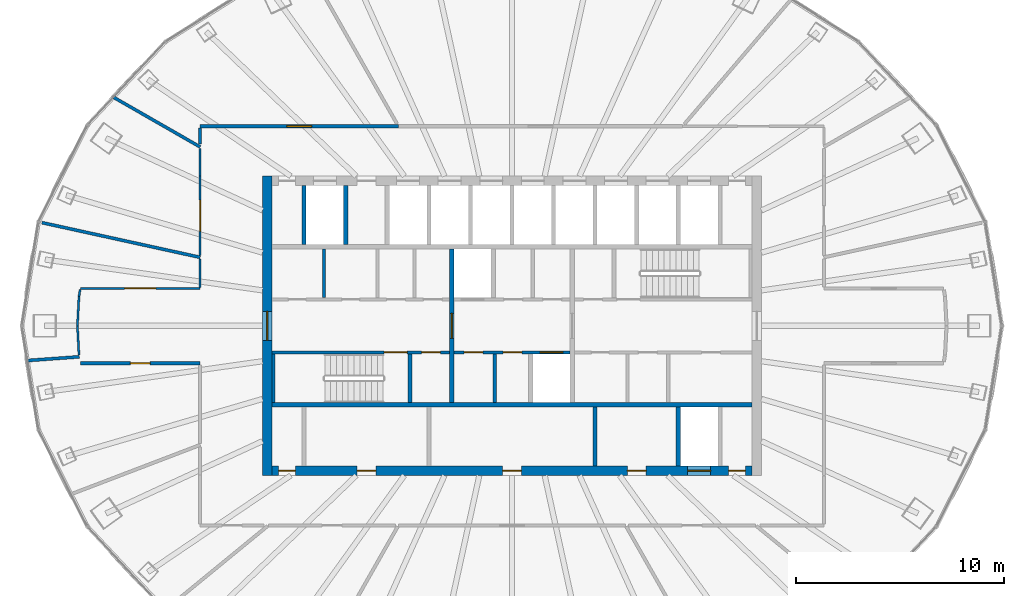
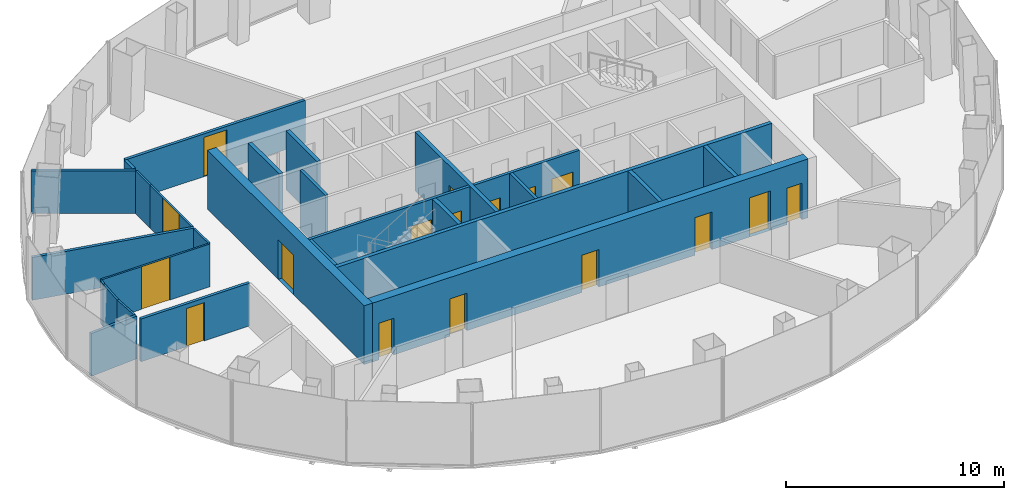
# One storey, part 9 of 13: 27 walls, 17 doors, 17 openings.
"""IFC4 building model written with IfcOpenShell, lengths in metres."""

from ifc_helpers import new_model, si_unit, direction, frame, frame_2d, origin, place, context, subcontext, project, spatial, rectangle, extrude, material, layer, layer_set, type_object, element, fill, save


model = new_model("IFC4")

# Units and contexts
model_context = context("Model", 3, precision=1e-05, world=origin(), true_north=direction((0.0, 1.0)))
body_context = subcontext(model_context, "Body", "Model", "MODEL_VIEW")
ifc_project = project(units=[si_unit("LENGTHUNIT", "METRE"), si_unit("AREAUNIT", "SQUARE_METRE"), si_unit("VOLUMEUNIT", "CUBIC_METRE"), si_unit("PLANEANGLEUNIT", "RADIAN"), si_unit("MASSUNIT", "GRAM", prefix="KILO")], contexts=[model_context])

# Site, building, storey
site_placement = place(None, origin())
site = spatial("IfcSite", under=ifc_project, at=site_placement, CompositionType="ELEMENT")
building_placement = place(site_placement, origin())
building = spatial("IfcBuilding", under=site, at=building_placement, Name="Siaravel Broadcast Tower", CompositionType="ELEMENT")
storey_placement = place(building_placement, frame((0.0, 0.0, 171.89990234375)))
storey = spatial("IfcBuildingStorey", under=building, at=storey_placement, Name="L41", CompositionType="ELEMENT", Elevation=171.89990234375)

# Walls
ifc_material_1 = material(Name="Concrete blockwork", Category="masonry")
ifc_layer_1 = layer(ifc_material_1, 0.14990234375)
ifc_layer_set_1 = layer_set([ifc_layer_1], Name="Concrete blockwork")
wall_type_1 = type_object("IfcWallType", Name="Core partition 150", PredefinedType="PARTITIONING", material=ifc_layer_set_1)
for number, where, z_axis, x_axis, name in (
    (1, (-9.044921875, 1.35009765625, 0.0), (0.0, 0.0, 1.0), (0.0, 1.0, 0.0), "L41 core partition PNW0"),
    (2, (-0.827392578125, -3.699951171875, 0.0), (0.0, 0.0, 1.0), (0.0, 1.0, 0.0), "L41 core partition PSM0"),
):
    element("IfcWall", number, at=place(storey_placement, frame(where, z_axis=z_axis, x_axis=x_axis)), inside=storey, type_object=wall_type_1, Name=name, PredefinedType="PARTITIONING", context=body_context, shape_type="SweptSolid", body=[
        extrude(rectangle(XDim=2.349853515625, YDim=0.14990234375, at=frame_2d((1.1748046875, 0.0))), origin(), (0.0, 0.0, 1.0), 3.300048828125),
    ])
ifc_layer_2 = layer(ifc_material_1, 0.199951171875)
ifc_layer_set_2 = layer_set([ifc_layer_2], Name="Concrete blockwork")
wall_type_2 = type_object("IfcWallType", Name="Core partition 200", PredefinedType="PARTITIONING", material=ifc_layer_set_2)
wall_1_placement = place(storey_placement, frame((4.0, -6.75, 0.0), z_axis=(0.0, 0.0, 1.0), x_axis=(0.0, 1.0, 0.0)))
element("IfcWall", 3, at=wall_1_placement, inside=storey, type_object=wall_type_2, Name="L41 core partition PFS3", PredefinedType="PARTITIONING", context=body_context, shape_type="SweptSolid", body=[
    extrude(rectangle(XDim=2.85009765625, YDim=0.199951171875, at=frame_2d((1.425048828125, 0.0))), origin(), (0.0, 0.0, 1.0), 3.300048828125),
])

# Wall, opening, door
ifc_material_2 = material(Name="Concrete C60/75", Category="concrete")
ifc_layer_3 = layer(ifc_material_2, 0.449951171875)
ifc_layer_set_3 = layer_set([ifc_layer_3], Name="Concrete C60/75")
wall_type_3 = type_object("IfcWallType", Name="Core wall 450", PredefinedType="SHEAR", material=ifc_layer_set_3)
wall_2_placement = place(storey_placement, frame((-11.77490234375, -7.199951171875, 0.0), z_axis=(0.0, 0.0, 1.0), x_axis=(0.0, 1.0, 0.0)))
wall_2 = element("IfcWall", 4, at=wall_2_placement, inside=storey, type_object=wall_type_3, Name="L41 core wall OW", PredefinedType="SHEAR", context=body_context, shape_type="SweptSolid", body=[
    extrude(rectangle(XDim=14.39990234375, YDim=0.449951171875, at=frame_2d((7.199951171875, 0.0))), origin(), (0.0, 0.0, 1.0), 3.300048828125),
])
opening_1_placement = place(wall_2_placement, frame((6.5, 0.0, 0.0)))
opening_1 = element("IfcOpeningElement", 5, at=opening_1_placement, cuts=wall_2, Name="Opening L41-DX-W", PredefinedType="OPENING", context=body_context, shape_type="SweptSolid", body=[
    extrude(rectangle(XDim=1.39990234375, YDim=2.199951171875, at=frame_2d((0.699951171875, 1.10009765625))), frame((0.0, 0.23486328125, 0.0), z_axis=(0.0, -1.0, 0.0), x_axis=(1.0, 0.0, 0.0)), (0.0, 0.0, 1.0), 0.469970703125),
])
ifc_material_3 = material(Name="Steel", Category="steel")
door_type_1 = type_object("IfcDoorType", Name="Core exit door 1400", OperationType="DOUBLE_DOOR_SINGLE_SWING", PredefinedType="DOOR", material=ifc_material_3)
door_1_placement = place(opening_1_placement, origin())
door_1 = element("IfcDoor", 6, at=door_1_placement, inside=storey, type_object=door_type_1, Name="L41 door DX-W", OperationType="DOUBLE_DOOR_SINGLE_SWING", OverallHeight=2.199951171875, OverallWidth=1.39990234375, PredefinedType="DOOR", context=body_context, shape_type="SweptSolid", body=[
    extrude(rectangle(XDim=1.39990234375, YDim=2.199951171875, at=frame_2d((0.699951171875, 1.10009765625))), frame((0.0, 0.02490234375, 0.0), z_axis=(0.0, -1.0, 0.0), x_axis=(1.0, 0.0, 0.0)), (0.0, 0.0, 1.0), 0.050048828125),
])
fill(opening_1, door_1)

# Wall, openings, doors
wall_3_placement = place(storey_placement, frame((-11.550048828125, -6.97509765625, 0.0), z_axis=(0.0, 0.0, 1.0), x_axis=(1.0, 0.0, 0.0)))
wall_3 = element("IfcWall", 7, at=wall_3_placement, inside=storey, type_object=wall_type_3, Name="L41 core wall OS", PredefinedType="SHEAR", context=body_context, shape_type="SweptSolid", body=[
    extrude(rectangle(XDim=23.10009765625, YDim=0.449951171875, at=frame_2d((11.550048828125, 0.0))), origin(), (0.0, 0.0, 1.0), 3.300048828125),
])
opening_2_placement = place(wall_3_placement, frame((20.0, 0.0, 0.0)))
opening_2 = element("IfcOpeningElement", 8, at=opening_2_placement, cuts=wall_3, Name="Opening LD-SV1-L41", PredefinedType="OPENING", context=body_context, shape_type="SweptSolid", body=[
    extrude(rectangle(XDim=1.10009765625, YDim=2.199951171875, at=frame_2d((0.550048828125, 1.10009765625))), frame((0.0, 0.23486328125, 0.0), z_axis=(0.0, -1.0, 0.0), x_axis=(1.0, 0.0, 0.0)), (0.0, 0.0, 1.0), 0.469970703125),
])
opening_3_placement = place(wall_3_placement, frame((4.10009765625, 0.0, 0.0)))
opening_3 = element("IfcOpeningElement", 9, at=opening_3_placement, cuts=wall_3, Name="Opening L41-DFS0", PredefinedType="OPENING", context=body_context, shape_type="SweptSolid", body=[
    extrude(rectangle(XDim=0.89990234375, YDim=2.10009765625, at=frame_2d((0.449951171875, 1.050048828125))), frame((0.0, 0.23486328125, 0.0), z_axis=(0.0, -1.0, 0.0), x_axis=(1.0, 0.0, 0.0)), (0.0, 0.0, 1.0), 0.469970703125),
])
opening_4_placement = place(wall_3_placement, frame((11.10009765625, 0.0, 0.0)))
opening_4 = element("IfcOpeningElement", 10, at=opening_4_placement, cuts=wall_3, Name="Opening L41-DFS3", PredefinedType="OPENING", context=body_context, shape_type="SweptSolid", body=[
    extrude(rectangle(XDim=0.89990234375, YDim=2.10009765625, at=frame_2d((0.449951171875, 1.050048828125))), frame((0.0, 0.23486328125, 0.0), z_axis=(0.0, -1.0, 0.0), x_axis=(1.0, 0.0, 0.0)), (0.0, 0.0, 1.0), 0.469970703125),
])
opening_5_placement = place(wall_3_placement, frame((17.10009765625, 0.0, 0.0)))
opening_5 = element("IfcOpeningElement", 11, at=opening_5_placement, cuts=wall_3, Name="Opening L41-DFS7", PredefinedType="OPENING", context=body_context, shape_type="SweptSolid", body=[
    extrude(rectangle(XDim=0.89990234375, YDim=2.10009765625, at=frame_2d((0.449951171875, 1.050048828125))), frame((0.0, 0.23486328125, 0.0), z_axis=(0.0, -1.0, 0.0), x_axis=(1.0, 0.0, 0.0)), (0.0, 0.0, 1.0), 0.469970703125),
])
opening_6_placement = place(wall_3_placement, frame((0.324951171875, 0.0, 0.0)))
opening_6 = element("IfcOpeningElement", 12, at=opening_6_placement, cuts=wall_3, Name="Opening L41-DRSW", PredefinedType="OPENING", context=body_context, shape_type="SweptSolid", body=[
    extrude(rectangle(XDim=0.800048828125, YDim=2.050048828125, at=frame_2d((0.39990234375, 1.02490234375))), frame((0.0, 0.23486328125, 0.0), z_axis=(0.0, -1.0, 0.0), x_axis=(1.0, 0.0, 0.0)), (0.0, 0.0, 1.0), 0.469970703125),
])
opening_7_placement = place(wall_3_placement, frame((21.97509765625, 0.0, 0.0)))
opening_7 = element("IfcOpeningElement", 13, at=opening_7_placement, cuts=wall_3, Name="Opening L41-DRSE", PredefinedType="OPENING", context=body_context, shape_type="SweptSolid", body=[
    extrude(rectangle(XDim=0.800048828125, YDim=2.050048828125, at=frame_2d((0.39990234375, 1.02490234375))), frame((0.0, 0.23486328125, 0.0), z_axis=(0.0, -1.0, 0.0), x_axis=(1.0, 0.0, 0.0)), (0.0, 0.0, 1.0), 0.469970703125),
])
ifc_material_4 = material(Name="Timber veneer", Category="wood")
door_type_2 = type_object("IfcDoorType", Name="Core room door 900", OperationType="SINGLE_SWING_LEFT", PredefinedType="DOOR", material=ifc_material_4)
door_2_placement = place(opening_3_placement, origin())
door_2 = element("IfcDoor", 14, at=door_2_placement, inside=storey, type_object=door_type_2, Name="L41 door DFS0", OperationType="SINGLE_SWING_LEFT", OverallHeight=2.10009765625, OverallWidth=0.89990234375, PredefinedType="DOOR", context=body_context, shape_type="SweptSolid", body=[
    extrude(rectangle(XDim=0.89990234375, YDim=2.10009765625, at=frame_2d((0.449951171875, 1.050048828125))), frame((0.0, 0.02490234375, 0.0), z_axis=(0.0, -1.0, 0.0), x_axis=(1.0, 0.0, 0.0)), (0.0, 0.0, 1.0), 0.050048828125),
])
fill(opening_3, door_2)
door_3_placement = place(opening_4_placement, origin())
door_3 = element("IfcDoor", 15, at=door_3_placement, inside=storey, type_object=door_type_2, Name="L41 door DFS3", OperationType="SINGLE_SWING_LEFT", OverallHeight=2.10009765625, OverallWidth=0.89990234375, PredefinedType="DOOR", context=body_context, shape_type="SweptSolid", body=[
    extrude(rectangle(XDim=0.89990234375, YDim=2.10009765625, at=frame_2d((0.449951171875, 1.050048828125))), frame((0.0, 0.02490234375, 0.0), z_axis=(0.0, -1.0, 0.0), x_axis=(1.0, 0.0, 0.0)), (0.0, 0.0, 1.0), 0.050048828125),
])
fill(opening_4, door_3)
door_4_placement = place(opening_5_placement, origin())
door_4 = element("IfcDoor", 16, at=door_4_placement, inside=storey, type_object=door_type_2, Name="L41 door DFS7", OperationType="SINGLE_SWING_LEFT", OverallHeight=2.10009765625, OverallWidth=0.89990234375, PredefinedType="DOOR", context=body_context, shape_type="SweptSolid", body=[
    extrude(rectangle(XDim=0.89990234375, YDim=2.10009765625, at=frame_2d((0.449951171875, 1.050048828125))), frame((0.0, 0.02490234375, 0.0), z_axis=(0.0, -1.0, 0.0), x_axis=(1.0, 0.0, 0.0)), (0.0, 0.0, 1.0), 0.050048828125),
])
fill(opening_5, door_4)
door_type_3 = type_object("IfcDoorType", Name="Riser door 800", OperationType="SINGLE_SWING_LEFT", PredefinedType="DOOR", material=ifc_material_3)
door_5_placement = place(opening_6_placement, origin())
door_5 = element("IfcDoor", 17, at=door_5_placement, inside=storey, type_object=door_type_3, Name="L41 door DRSW", OperationType="SINGLE_SWING_LEFT", OverallHeight=2.050048828125, OverallWidth=0.800048828125, PredefinedType="DOOR", context=body_context, shape_type="SweptSolid", body=[
    extrude(rectangle(XDim=0.800048828125, YDim=2.050048828125, at=frame_2d((0.39990234375, 1.02490234375))), frame((0.0, 0.02490234375, 0.0), z_axis=(0.0, -1.0, 0.0), x_axis=(1.0, 0.0, 0.0)), (0.0, 0.0, 1.0), 0.050048828125),
])
fill(opening_6, door_5)
door_6_placement = place(opening_7_placement, origin())
door_6 = element("IfcDoor", 18, at=door_6_placement, inside=storey, type_object=door_type_3, Name="L41 door DRSE", OperationType="SINGLE_SWING_LEFT", OverallHeight=2.050048828125, OverallWidth=0.800048828125, PredefinedType="DOOR", context=body_context, shape_type="SweptSolid", body=[
    extrude(rectangle(XDim=0.800048828125, YDim=2.050048828125, at=frame_2d((0.39990234375, 1.02490234375))), frame((0.0, 0.02490234375, 0.0), z_axis=(0.0, -1.0, 0.0), x_axis=(1.0, 0.0, 0.0)), (0.0, 0.0, 1.0), 0.050048828125),
])
fill(opening_7, door_6)
ifc_material_5 = material(Name="Stainless steel 316L", Category="steel")
door_type_4 = type_object("IfcDoorType", Name="Service lift landing door 1100", OperationType="DOUBLE_DOOR_SLIDING", PredefinedType="DOOR", material=ifc_material_5)
door_7_placement = place(opening_2_placement, origin())
door_7 = element("IfcDoor", 19, at=door_7_placement, inside=storey, type_object=door_type_4, Name="Landing door SV1 L41", OperationType="DOUBLE_DOOR_SLIDING", OverallHeight=2.199951171875, OverallWidth=1.10009765625, PredefinedType="DOOR", context=body_context, shape_type="SweptSolid", body=[
    extrude(rectangle(XDim=1.10009765625, YDim=2.199951171875, at=frame_2d((0.550048828125, 1.10009765625))), frame((0.0, 0.02490234375, 0.0), z_axis=(0.0, -1.0, 0.0), x_axis=(1.0, 0.0, 0.0)), (0.0, 0.0, 1.0), 0.050048828125),
])
fill(opening_2, door_7)

# Wall, opening, door
ifc_material_6 = material(Name="Gypsum board partition", Category="gypsum")
ifc_layer_4 = layer(ifc_material_6, 0.14990234375)
ifc_layer_set_4 = layer_set([ifc_layer_4], Name="Gypsum board partition")
wall_type_4 = type_object("IfcWallType", Name="Corridor wall 150", PredefinedType="PARTITIONING", material=ifc_layer_set_4)
wall_4_placement = place(storey_placement, frame((-5.46630859375, 9.60009765625, 0.0), z_axis=(0.0, 0.0, 1.0), x_axis=(-1.0, 0.0, 0.0)))
wall_4 = element("IfcWall", 20, at=wall_4_placement, inside=storey, type_object=wall_type_4, Name="L41 partition 3", PredefinedType="PARTITIONING", context=body_context, shape_type="SweptSolid", body=[
    extrude(rectangle(XDim=9.53369140625, YDim=0.14990234375, at=frame_2d((4.766845703125, 0.0))), origin(), (0.0, 0.0, 1.0), 2.400146484375),
])
opening_8_placement = place(wall_4_placement, frame((4.1669921875, 0.0, 0.0)))
opening_8 = element("IfcOpeningElement", 21, at=opening_8_placement, cuts=wall_4, Name="Opening L41-009", PredefinedType="OPENING", context=body_context, shape_type="SweptSolid", body=[
    extrude(rectangle(XDim=1.199951171875, YDim=2.199951171875, at=frame_2d((0.60009765625, 1.10009765625))), frame((0.0, 0.0849609375, 0.0), z_axis=(0.0, -1.0, 0.0), x_axis=(1.0, 0.0, 0.0)), (0.0, 0.0, 1.0), 0.169921875),
])
door_type_5 = type_object("IfcDoorType", Name="Office double door 1200", OperationType="DOUBLE_DOOR_SINGLE_SWING", PredefinedType="DOOR", material=ifc_material_4)
door_8_placement = place(opening_8_placement, origin())
door_8 = element("IfcDoor", 22, at=door_8_placement, inside=storey, type_object=door_type_5, Name="L41 door to Open plan office", OperationType="DOUBLE_DOOR_SINGLE_SWING", OverallHeight=2.199951171875, OverallWidth=1.199951171875, PredefinedType="DOOR", context=body_context, shape_type="SweptSolid", body=[
    extrude(rectangle(XDim=1.199951171875, YDim=2.199951171875, at=frame_2d((0.60009765625, 1.10009765625))), frame((0.0, 0.02490234375, 0.0), z_axis=(0.0, -1.0, 0.0), x_axis=(1.0, 0.0, 0.0)), (0.0, 0.0, 1.0), 0.050048828125),
])
fill(opening_8, door_8)

wall_5_placement = place(storey_placement, frame((-20.766357421875, -1.800048828125, 0.0), z_axis=(0.0, 0.0, 1.0), x_axis=(1.0, 0.0, 0.0)))
wall_5 = element("IfcWall", 23, at=wall_5_placement, inside=storey, type_object=wall_type_4, Name="L41 partition 16", PredefinedType="PARTITIONING", context=body_context, shape_type="SweptSolid", body=[
    extrude(rectangle(XDim=5.766357421875, YDim=0.14990234375, at=frame_2d((2.88330078125, 0.0))), origin(), (0.0, 0.0, 1.0), 2.400146484375),
])
opening_9_placement = place(wall_5_placement, frame((2.408203125, 0.0, 0.0)))
opening_9 = element("IfcOpeningElement", 24, at=opening_9_placement, cuts=wall_5, Name="Opening L41-012", PredefinedType="OPENING", context=body_context, shape_type="SweptSolid", body=[
    extrude(rectangle(XDim=0.949951171875, YDim=2.14990234375, at=frame_2d((0.47509765625, 1.074951171875))), frame((0.0, 0.0849609375, 0.0), z_axis=(0.0, -1.0, 0.0), x_axis=(1.0, 0.0, 0.0)), (0.0, 0.0, 1.0), 0.169921875),
])
door_type_6 = type_object("IfcDoorType", Name="Office door 950", OperationType="SINGLE_SWING_LEFT", PredefinedType="DOOR", material=ifc_material_4)
door_9_placement = place(opening_9_placement, origin())
door_9 = element("IfcDoor", 25, at=door_9_placement, inside=storey, type_object=door_type_6, Name="L41 door to Reception", OperationType="SINGLE_SWING_RIGHT", OverallHeight=2.14990234375, OverallWidth=0.949951171875, PredefinedType="DOOR", context=body_context, shape_type="SweptSolid", body=[
    extrude(rectangle(XDim=0.949951171875, YDim=2.14990234375, at=frame_2d((0.47509765625, 1.074951171875))), frame((0.0, 0.02490234375, 0.0), z_axis=(0.0, -1.0, 0.0), x_axis=(1.0, 0.0, 0.0)), (0.0, 0.0, 1.0), 0.050048828125),
])
fill(opening_9, door_9)

# Wall
wall_6_placement = place(storey_placement, frame((-15.0, 9.52294921875, 0.0), z_axis=(0.0, 0.0, 1.0), x_axis=(0.0, -1.0, 0.0)))
element("IfcWall", 26, at=wall_6_placement, inside=storey, type_object=wall_type_4, Name="L41 partition 41", PredefinedType="PARTITIONING", context=body_context, shape_type="SweptSolid", body=[
    extrude(rectangle(XDim=0.788330078125, YDim=0.14990234375, at=frame_2d((0.39404296875, 0.0))), origin(), (0.0, 0.0, 1.0), 2.400146484375),
])

# Wall, opening, door
ifc_material_7 = material(Name="Glazed aluminium partition", Category="aluminium")
ifc_layer_5 = layer(ifc_material_7, 0.10009765625)
ifc_layer_set_5 = layer_set([ifc_layer_5], Name="Glazed aluminium partition")
wall_type_5 = type_object("IfcWallType", Name="Glazed meeting room partition 100", PredefinedType="PARTITIONING", material=ifc_layer_set_5)
wall_7_placement = place(storey_placement, frame((-15.0, 1.800048828125, 0.0), z_axis=(0.0, 0.0, 1.0), x_axis=(-1.0, 0.0, 0.0)))
wall_7 = element("IfcWall", 27, at=wall_7_placement, inside=storey, type_object=wall_type_5, Name="L41 partition 17", PredefinedType="PARTITIONING", context=body_context, shape_type="SweptSolid", body=[
    extrude(rectangle(XDim=5.766357421875, YDim=0.10009765625, at=frame_2d((2.88330078125, 0.0))), origin(), (0.0, 0.0, 1.0), 2.400146484375),
])
opening_10_placement = place(wall_7_placement, frame((2.13330078125, 0.0, 0.0)))
opening_10 = element("IfcOpeningElement", 28, at=opening_10_placement, cuts=wall_7, Name="Opening L41-011", PredefinedType="OPENING", context=body_context, shape_type="SweptSolid", body=[
    extrude(rectangle(XDim=1.5, YDim=2.39990234375, at=frame_2d((0.75, 1.199951171875))), frame((0.0, 0.06005859375, 0.0), z_axis=(0.0, -1.0, 0.0), x_axis=(1.0, 0.0, 0.0)), (0.0, 0.0, 1.0), 0.1201171875),
])
door_type_7 = type_object("IfcDoorType", Name="Conference double door 1500", OperationType="DOUBLE_DOOR_SINGLE_SWING", PredefinedType="DOOR", material=ifc_material_4)
door_10_placement = place(opening_10_placement, origin())
door_10 = element("IfcDoor", 29, at=door_10_placement, inside=storey, type_object=door_type_7, Name="L41 door to Boardroom", OperationType="DOUBLE_DOOR_SINGLE_SWING", OverallHeight=2.39990234375, OverallWidth=1.5, PredefinedType="DOOR", context=body_context, shape_type="SweptSolid", body=[
    extrude(rectangle(XDim=1.5, YDim=2.39990234375, at=frame_2d((0.75, 1.199951171875))), frame((0.0, 0.02490234375, 0.0), z_axis=(0.0, -1.0, 0.0), x_axis=(1.0, 0.0, 0.0)), (0.0, 0.0, 1.0), 0.050048828125),
])
fill(opening_10, door_10)

wall_8_placement = place(storey_placement, frame((-15.0, 7.2119140625, 0.0), z_axis=(0.0, 0.0, 1.0), x_axis=(0.0, -1.0, 0.0)))
wall_8 = element("IfcWall", 30, at=wall_8_placement, inside=storey, type_object=wall_type_5, Name="L41 partition 24", PredefinedType="PARTITIONING", context=body_context, shape_type="SweptSolid", body=[
    extrude(rectangle(XDim=3.830078125, YDim=0.10009765625, at=frame_2d((1.9150390625, 0.0))), origin(), (0.0, 0.0, 1.0), 2.400146484375),
])
opening_11_placement = place(wall_8_placement, frame((1.1650390625, 0.0, 0.0)))
opening_11 = element("IfcOpeningElement", 31, at=opening_11_placement, cuts=wall_8, Name="Opening L41-010", PredefinedType="OPENING", context=body_context, shape_type="SweptSolid", body=[
    extrude(rectangle(XDim=1.5, YDim=2.39990234375, at=frame_2d((0.75, 1.199951171875))), frame((0.0, 0.06005859375, 0.0), z_axis=(0.0, -1.0, 0.0), x_axis=(1.0, 0.0, 0.0)), (0.0, 0.0, 1.0), 0.1201171875),
])
door_11_placement = place(opening_11_placement, origin())
door_11 = element("IfcDoor", 32, at=door_11_placement, inside=storey, type_object=door_type_7, Name="L41 door to Boardroom", OperationType="DOUBLE_DOOR_SINGLE_SWING", OverallHeight=2.39990234375, OverallWidth=1.5, PredefinedType="DOOR", context=body_context, shape_type="SweptSolid", body=[
    extrude(rectangle(XDim=1.5, YDim=2.39990234375, at=frame_2d((0.75, 1.199951171875))), frame((0.0, 0.02490234375, 0.0), z_axis=(0.0, -1.0, 0.0), x_axis=(1.0, 0.0, 0.0)), (0.0, 0.0, 1.0), 0.050048828125),
])
fill(opening_11, door_11)

# Walls
wall_9_placement = place(storey_placement, frame((-20.905029296875, 0.0, 0.0), z_axis=(0.0, 0.0, 1.0), x_axis=(0.053227869, -0.998582392, 0.0)))
element("IfcWall", 33, at=wall_9_placement, inside=storey, type_object=wall_type_5, Name="L41 partition 32", PredefinedType="PARTITIONING", context=body_context, shape_type="SweptSolid", body=[
    extrude(rectangle(XDim=1.417236328125, YDim=0.10009765625, at=frame_2d((0.70849609375, 0.0))), origin(), (0.0, 0.0, 1.0), 2.400146484375),
])
wall_10_placement = place(storey_placement, frame((-15.0, 3.216796875, 0.0), z_axis=(0.0, 0.0, 1.0), x_axis=(0.0, -1.0, 0.0)))
element("IfcWall", 34, at=wall_10_placement, inside=storey, type_object=wall_type_5, Name="L41 partition 33", PredefinedType="PARTITIONING", context=body_context, shape_type="SweptSolid", body=[
    extrude(rectangle(XDim=1.36474609375, YDim=0.10009765625, at=frame_2d((0.682373046875, 0.0))), origin(), (0.0, 0.0, 1.0), 2.400146484375),
])
wall_11_placement = place(storey_placement, frame((-15.0, 8.5361328125, 0.0), z_axis=(0.0, 0.0, 1.0), x_axis=(0.0, -1.0, 0.0)))
element("IfcWall", 35, at=wall_11_placement, inside=storey, type_object=wall_type_5, Name="L41 partition 36", PredefinedType="PARTITIONING", context=body_context, shape_type="SweptSolid", body=[
    extrude(rectangle(XDim=1.3232421875, YDim=0.10009765625, at=frame_2d((0.66162109375, 0.0))), origin(), (0.0, 0.0, 1.0), 2.400146484375),
])
wall_12_placement = place(storey_placement, frame((-20.830322265625, 1.4013671875, 0.0), z_axis=(0.0, 0.0, 1.0), x_axis=(-0.053234513, -0.998582038, 0.0)))
element("IfcWall", 36, at=wall_12_placement, inside=storey, type_object=wall_type_5, Name="L41 partition 38", PredefinedType="PARTITIONING", context=body_context, shape_type="SweptSolid", body=[
    extrude(rectangle(XDim=1.4033203125, YDim=0.10009765625, at=frame_2d((0.70166015625, 0.0))), origin(), (0.0, 0.0, 1.0), 2.400146484375),
])
wall_13_placement = place(storey_placement, frame((-20.7744140625, 1.749267578125, 0.0), z_axis=(0.0, 0.0, 1.0), x_axis=(-0.158666034, -0.98733231, 0.0)))
element("IfcWall", 37, at=wall_13_placement, inside=storey, type_object=wall_type_5, Name="L41 partition 43", PredefinedType="PARTITIONING", context=body_context, shape_type="SweptSolid", body=[
    extrude(rectangle(XDim=0.352294921875, YDim=0.10009765625, at=frame_2d((0.17626953125, 0.0))), origin(), (0.0, 0.0, 1.0), 2.400146484375),
])
ifc_layer_6 = layer(ifc_material_6, 0.14990234375)
ifc_layer_set_6 = layer_set([ifc_layer_6], Name="Gypsum board partition")
wall_type_6 = type_object("IfcWallType", Name="Room partition 150", PredefinedType="PARTITIONING", material=ifc_layer_set_6)
wall_14_placement = place(storey_placement, frame((-22.60986328125, 4.96240234375, 0.0), z_axis=(0.0, 0.0, 1.0), x_axis=(0.976752185, -0.214371566, 0.0)))
element("IfcWall", 38, at=wall_14_placement, inside=storey, type_object=wall_type_6, Name="L41 partition 7", PredefinedType="PARTITIONING", context=body_context, shape_type="SweptSolid", body=[
    extrude(rectangle(XDim=7.791015625, YDim=0.14990234375, at=frame_2d((3.8955078125, 0.0))), origin(), (0.0, 0.0, 1.0), 2.400146484375),
])
wall_15_placement = place(storey_placement, frame((-19.168701171875, 10.994140625, 0.0), z_axis=(0.0, 0.0, 1.0), x_axis=(0.867457349, -0.497511556, 0.0)))
element("IfcWall", 39, at=wall_15_placement, inside=storey, type_object=wall_type_6, Name="L41 partition 21", PredefinedType="PARTITIONING", context=body_context, shape_type="SweptSolid", body=[
    extrude(rectangle(XDim=4.8056640625, YDim=0.14990234375, at=frame_2d((2.40283203125, 0.0))), origin(), (0.0, 0.0, 1.0), 2.400146484375),
])
wall_16_placement = place(storey_placement, frame((-23.319091796875, -1.671142578125, 0.0), z_axis=(0.0, 0.0, 1.0), x_axis=(0.997440396, 0.071502847, 0.0)))
element("IfcWall", 40, at=wall_16_placement, inside=storey, type_object=wall_type_6, Name="L41 partition 28", PredefinedType="PARTITIONING", context=body_context, shape_type="SweptSolid", body=[
    extrude(rectangle(XDim=2.509521484375, YDim=0.14990234375, at=frame_2d((1.2548828125, 0.0))), origin(), (0.0, 0.0, 1.0), 2.400146484375),
])

# Wall, openings, doors
ifc_layer_7 = layer(ifc_material_2, 0.14990234375)
ifc_layer_set_7 = layer_set([ifc_layer_7], Name="Concrete C60/75")
wall_type_7 = type_object("IfcWallType", Name="Shaft wall 150", PredefinedType="SHEAR", material=ifc_layer_set_7)
wall_17_placement = place(storey_placement, frame((-11.550048828125, -1.27490234375, 0.0), z_axis=(0.0, 0.0, 1.0), x_axis=(1.0, 0.0, 0.0)))
wall_17 = element("IfcWall", 41, at=wall_17_placement, inside=storey, type_object=wall_type_7, Name="L41 core wall CSW", PredefinedType="SHEAR", context=body_context, shape_type="SweptSolid", body=[
    extrude(rectangle(XDim=8.550048828125, YDim=0.14990234375, at=frame_2d((4.27490234375, 0.0))), origin(), (0.0, 0.0, 1.0), 3.300048828125),
])
opening_12_placement = place(wall_17_placement, frame((5.39990234375, 0.0, 0.0)))
opening_12 = element("IfcOpeningElement", 42, at=opening_12_placement, cuts=wall_17, Name="Opening L41-DS-1", PredefinedType="OPENING", context=body_context, shape_type="SweptSolid", body=[
    extrude(rectangle(XDim=1.10009765625, YDim=2.14990234375, at=frame_2d((0.550048828125, 1.074951171875))), frame((0.0, 0.0849609375, 0.0), z_axis=(0.0, -1.0, 0.0), x_axis=(1.0, 0.0, 0.0)), (0.0, 0.0, 1.0), 0.169921875),
])
opening_13_placement = place(wall_17_placement, frame((7.199951171875, 0.0, 0.0)))
opening_13 = element("IfcOpeningElement", 43, at=opening_13_placement, cuts=wall_17, Name="Opening L41-DSW0", PredefinedType="OPENING", context=body_context, shape_type="SweptSolid", body=[
    extrude(rectangle(XDim=0.89990234375, YDim=2.10009765625, at=frame_2d((0.449951171875, 1.050048828125))), frame((0.0, 0.0849609375, 0.0), z_axis=(0.0, -1.0, 0.0), x_axis=(1.0, 0.0, 0.0)), (0.0, 0.0, 1.0), 0.169921875),
])
door_12_placement = place(opening_13_placement, origin())
door_12 = element("IfcDoor", 44, at=door_12_placement, inside=storey, type_object=door_type_2, Name="L41 door DSW0", OperationType="SINGLE_SWING_LEFT", OverallHeight=2.10009765625, OverallWidth=0.89990234375, PredefinedType="DOOR", context=body_context, shape_type="SweptSolid", body=[
    extrude(rectangle(XDim=0.89990234375, YDim=2.10009765625, at=frame_2d((0.449951171875, 1.050048828125))), frame((0.0, 0.02490234375, 0.0), z_axis=(0.0, -1.0, 0.0), x_axis=(1.0, 0.0, 0.0)), (0.0, 0.0, 1.0), 0.050048828125),
])
fill(opening_13, door_12)
door_type_8 = type_object("IfcDoorType", Name="Stair door 1100", OperationType="SINGLE_SWING_LEFT", PredefinedType="DOOR", material=ifc_material_3)
door_13_placement = place(opening_12_placement, origin())
door_13 = element("IfcDoor", 45, at=door_13_placement, inside=storey, type_object=door_type_8, Name="L41 door DS-1", OperationType="SINGLE_SWING_LEFT", OverallHeight=2.14990234375, OverallWidth=1.10009765625, PredefinedType="DOOR", context=body_context, shape_type="SweptSolid", body=[
    extrude(rectangle(XDim=1.10009765625, YDim=2.14990234375, at=frame_2d((0.550048828125, 1.074951171875))), frame((0.0, 0.02490234375, 0.0), z_axis=(0.0, -1.0, 0.0), x_axis=(1.0, 0.0, 0.0)), (0.0, 0.0, 1.0), 0.050048828125),
])
fill(opening_12, door_13)

wall_18_placement = place(storey_placement, frame((-2.800048828125, -1.27490234375, 0.0), z_axis=(0.0, 0.0, 1.0), x_axis=(1.0, 0.0, 0.0)))
wall_18 = element("IfcWall", 46, at=wall_18_placement, inside=storey, type_object=wall_type_7, Name="L41 core wall CSM", PredefinedType="SHEAR", context=body_context, shape_type="SweptSolid", body=[
    extrude(rectangle(XDim=5.60009765625, YDim=0.14990234375, at=frame_2d((2.800048828125, 0.0))), origin(), (0.0, 0.0, 1.0), 3.300048828125),
])
opening_14_placement = place(wall_18_placement, frame((4.14990234375, 0.0, 0.0)))
opening_14 = element("IfcOpeningElement", 47, at=opening_14_placement, cuts=wall_18, Name="Opening LD-FL2-L41", PredefinedType="OPENING", context=body_context, shape_type="SweptSolid", body=[
    extrude(rectangle(XDim=1.10009765625, YDim=2.199951171875, at=frame_2d((0.550048828125, 1.10009765625))), frame((0.0, 0.0849609375, 0.0), z_axis=(0.0, -1.0, 0.0), x_axis=(1.0, 0.0, 0.0)), (0.0, 0.0, 1.0), 0.169921875),
])
opening_15_placement = place(wall_18_placement, frame((0.498779296875, 0.0, 0.0)))
opening_15 = element("IfcOpeningElement", 48, at=opening_15_placement, cuts=wall_18, Name="Opening L41-DSM0", PredefinedType="OPENING", context=body_context, shape_type="SweptSolid", body=[
    extrude(rectangle(XDim=0.89990234375, YDim=2.10009765625, at=frame_2d((0.449951171875, 1.050048828125))), frame((0.0, 0.0849609375, 0.0), z_axis=(0.0, -1.0, 0.0), x_axis=(1.0, 0.0, 0.0)), (0.0, 0.0, 1.0), 0.169921875),
])
opening_16_placement = place(wall_18_placement, frame((2.373779296875, 0.0, 0.0)))
opening_16 = element("IfcOpeningElement", 49, at=opening_16_placement, cuts=wall_18, Name="Opening L41-DSM1", PredefinedType="OPENING", context=body_context, shape_type="SweptSolid", body=[
    extrude(rectangle(XDim=0.89990234375, YDim=2.10009765625, at=frame_2d((0.449951171875, 1.050048828125))), frame((0.0, 0.0849609375, 0.0), z_axis=(0.0, -1.0, 0.0), x_axis=(1.0, 0.0, 0.0)), (0.0, 0.0, 1.0), 0.169921875),
])
door_14_placement = place(opening_15_placement, origin())
door_14 = element("IfcDoor", 50, at=door_14_placement, inside=storey, type_object=door_type_2, Name="L41 door DSM0", OperationType="SINGLE_SWING_LEFT", OverallHeight=2.10009765625, OverallWidth=0.89990234375, PredefinedType="DOOR", context=body_context, shape_type="SweptSolid", body=[
    extrude(rectangle(XDim=0.89990234375, YDim=2.10009765625, at=frame_2d((0.449951171875, 1.050048828125))), frame((0.0, 0.02490234375, 0.0), z_axis=(0.0, -1.0, 0.0), x_axis=(1.0, 0.0, 0.0)), (0.0, 0.0, 1.0), 0.050048828125),
])
fill(opening_15, door_14)
door_15_placement = place(opening_16_placement, origin())
door_15 = element("IfcDoor", 51, at=door_15_placement, inside=storey, type_object=door_type_2, Name="L41 door DSM1", OperationType="SINGLE_SWING_LEFT", OverallHeight=2.10009765625, OverallWidth=0.89990234375, PredefinedType="DOOR", context=body_context, shape_type="SweptSolid", body=[
    extrude(rectangle(XDim=0.89990234375, YDim=2.10009765625, at=frame_2d((0.449951171875, 1.050048828125))), frame((0.0, 0.02490234375, 0.0), z_axis=(0.0, -1.0, 0.0), x_axis=(1.0, 0.0, 0.0)), (0.0, 0.0, 1.0), 0.050048828125),
])
fill(opening_16, door_15)
door_type_9 = type_object("IfcDoorType", Name="Firefighting lift landing door 1100", OperationType="DOUBLE_DOOR_SLIDING", PredefinedType="DOOR", material=ifc_material_5)
door_16_placement = place(opening_14_placement, origin())
door_16 = element("IfcDoor", 52, at=door_16_placement, inside=storey, type_object=door_type_9, Name="Landing door FL2 L41", OperationType="DOUBLE_DOOR_SLIDING", OverallHeight=2.199951171875, OverallWidth=1.10009765625, PredefinedType="DOOR", context=body_context, shape_type="SweptSolid", body=[
    extrude(rectangle(XDim=1.10009765625, YDim=2.199951171875, at=frame_2d((0.550048828125, 1.10009765625))), frame((0.0, 0.02490234375, 0.0), z_axis=(0.0, -1.0, 0.0), x_axis=(1.0, 0.0, 0.0)), (0.0, 0.0, 1.0), 0.050048828125),
])
fill(opening_14, door_16)

# Walls
wall_19_placement = place(storey_placement, frame((-11.47509765625, -3.699951171875, 0.0), z_axis=(0.0, 0.0, 1.0), x_axis=(0.0, 1.0, 0.0)))
element("IfcWall", 53, at=wall_19_placement, inside=storey, type_object=wall_type_7, Name="L41 core wall ST1W", PredefinedType="SHEAR", context=body_context, shape_type="SweptSolid", body=[
    extrude(rectangle(XDim=2.349853515625, YDim=0.14990234375, at=frame_2d((1.1748046875, 0.0))), origin(), (0.0, 0.0, 1.0), 3.300048828125),
])
ifc_layer_8 = layer(ifc_material_2, 0.199951171875)
ifc_layer_set_8 = layer_set([ifc_layer_8], Name="Concrete C60/75")
wall_type_8 = type_object("IfcWallType", Name="Shaft wall 200", PredefinedType="SHEAR", material=ifc_layer_set_8)
wall_20_placement = place(storey_placement, frame((-11.550048828125, -3.800048828125, 0.0), z_axis=(0.0, 0.0, 1.0), x_axis=(1.0, 0.0, 0.0)))
element("IfcWall", 54, at=wall_20_placement, inside=storey, type_object=wall_type_8, Name="L41 core wall BS", PredefinedType="SHEAR", context=body_context, shape_type="SweptSolid", body=[
    extrude(rectangle(XDim=23.10009765625, YDim=0.199951171875, at=frame_2d((11.550048828125, 0.0))), origin(), (0.0, 0.0, 1.0), 3.300048828125),
])
for number, where, z_axis, x_axis, name in (
    (55, (8.0, -6.75, 0.0), (0.0, 0.0, 1.0), (0.0, 1.0, 0.0), "L41 core wall SWS9"),
    (56, (-10.0, 3.89990234375, 0.0), (0.0, 0.0, 1.0), (0.0, 1.0, 0.0), "L41 core wall SWN0"),
    (57, (-8.0, 3.89990234375, 0.0), (0.0, 0.0, 1.0), (0.0, 1.0, 0.0), "L41 core wall SWN1"),
):
    element("IfcWall", number, at=place(storey_placement, frame(where, z_axis=z_axis, x_axis=x_axis)), inside=storey, type_object=wall_type_8, Name=name, PredefinedType="SHEAR", context=body_context, shape_type="SweptSolid", body=[
        extrude(rectangle(XDim=2.85009765625, YDim=0.199951171875, at=frame_2d((1.425048828125, 0.0))), origin(), (0.0, 0.0, 1.0), 3.300048828125),
    ])

# Wall, opening, door
wall_21_placement = place(storey_placement, frame((-2.89990234375, -3.699951171875, 0.0), z_axis=(0.0, 0.0, 1.0), x_axis=(0.0, 1.0, 0.0)))
wall_21 = element("IfcWall", 58, at=wall_21_placement, inside=storey, type_object=wall_type_8, Name="L41 core wall LW", PredefinedType="SHEAR", context=body_context, shape_type="SweptSolid", body=[
    extrude(rectangle(XDim=7.39990234375, YDim=0.199951171875, at=frame_2d((3.699951171875, 0.0))), origin(), (0.0, 0.0, 1.0), 3.300048828125),
])
opening_17_placement = place(wall_21_placement, frame((3.10009765625, 0.0, 0.0)))
opening_17 = element("IfcOpeningElement", 59, at=opening_17_placement, cuts=wall_21, Name="Opening L41-DL-W", PredefinedType="OPENING", context=body_context, shape_type="SweptSolid", body=[
    extrude(rectangle(XDim=1.199951171875, YDim=2.199951171875, at=frame_2d((0.60009765625, 1.10009765625))), frame((0.0, 0.10986328125, 0.0), z_axis=(0.0, -1.0, 0.0), x_axis=(1.0, 0.0, 0.0)), (0.0, 0.0, 1.0), 0.219970703125),
])
door_type_10 = type_object("IfcDoorType", Name="Firefighting lobby door 1200", OperationType="SINGLE_SWING_LEFT", PredefinedType="DOOR", material=ifc_material_3)
door_17_placement = place(opening_17_placement, origin())
door_17 = element("IfcDoor", 60, at=door_17_placement, inside=storey, type_object=door_type_10, Name="L41 door DL-W", OperationType="SINGLE_SWING_LEFT", OverallHeight=2.199951171875, OverallWidth=1.199951171875, PredefinedType="DOOR", context=body_context, shape_type="SweptSolid", body=[
    extrude(rectangle(XDim=1.199951171875, YDim=2.199951171875, at=frame_2d((0.60009765625, 1.10009765625))), frame((0.0, 0.02490234375, 0.0), z_axis=(0.0, -1.0, 0.0), x_axis=(1.0, 0.0, 0.0)), (0.0, 0.0, 1.0), 0.050048828125),
])
fill(opening_17, door_17)

# Wall
wall_22_placement = place(storey_placement, frame((-4.89990234375, -3.699951171875, 0.0), z_axis=(0.0, 0.0, 1.0), x_axis=(0.0, 1.0, 0.0)))
element("IfcWall", 61, at=wall_22_placement, inside=storey, type_object=wall_type_8, Name="L41 core wall ST1E", PredefinedType="SHEAR", context=body_context, shape_type="SweptSolid", body=[
    extrude(rectangle(XDim=2.349853515625, YDim=0.199951171875, at=frame_2d((1.1748046875, 0.0))), origin(), (0.0, 0.0, 1.0), 3.300048828125),
])

save(model, "model.ifc")
